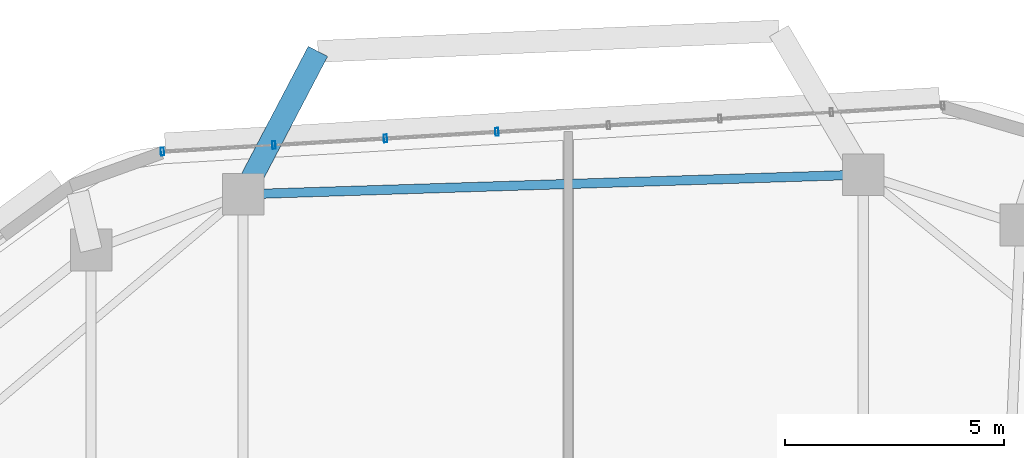
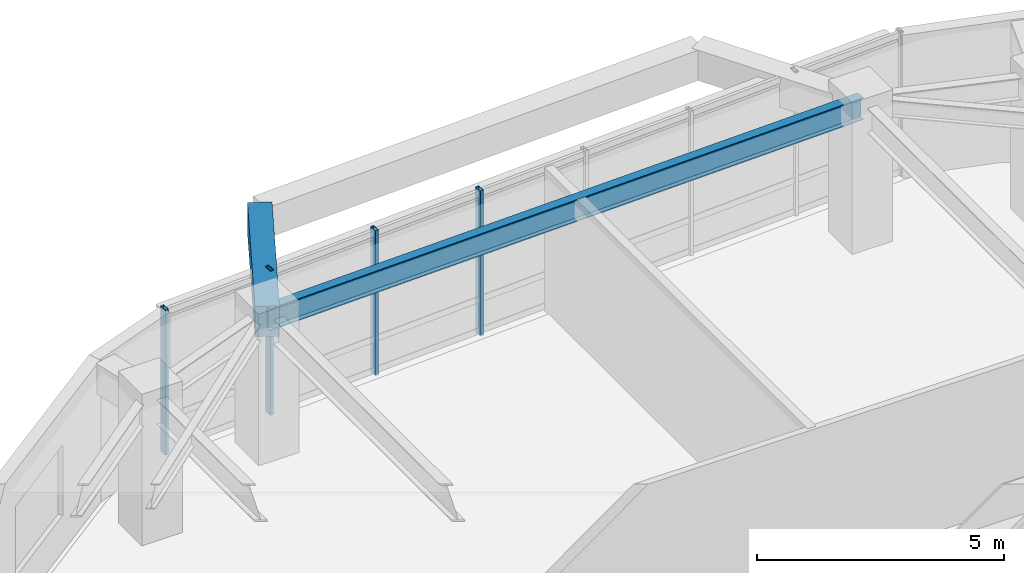
# One storey, part 2 of 15: 4 members, 2 beams, 1 element without a shape of its own.
"""IFC4 building model written with IfcOpenShell, lengths in metres."""

from ifc_helpers import new_model, si_unit, direction, frame, origin, origin_2d, place, context, subcontext, project, spatial, rectangle, hollow_rectangle, i_section, extrude, material, material_profile, profile_set, type_object, element, aggregate, save


model = new_model("IFC4")

# Units and contexts
model_context = context("Model", 3, precision=1e-05, world=origin(), true_north=direction((0.0, 1.0)))
body_context = subcontext(model_context, "Body", "Model", "MODEL_VIEW")
ifc_project = project(units=[si_unit("LENGTHUNIT", "METRE"), si_unit("AREAUNIT", "SQUARE_METRE"), si_unit("VOLUMEUNIT", "CUBIC_METRE"), si_unit("PLANEANGLEUNIT", "RADIAN"), si_unit("MASSUNIT", "GRAM", prefix="KILO")], contexts=[model_context])

# Site, building, storey
site_placement = place(None, origin())
site = spatial("IfcSite", under=ifc_project, at=site_placement, CompositionType="ELEMENT")
building_placement = place(site_placement, origin())
building = spatial("IfcBuilding", under=site, at=building_placement, Name="Zulverin Broadcast Headquarters", CompositionType="ELEMENT")
storey_placement = place(building_placement, frame((0.0, 0.0, 193.39990234375)))
storey = spatial("IfcBuildingStorey", under=building, at=storey_placement, Name="L49", CompositionType="ELEMENT", Elevation=193.39990234375)

# Beams
ifc_material_1 = material(Name="Concrete C40/50", Category="concrete")
ifc_material_profile_1 = material_profile(ifc_material_1, rectangle(XDim=0.5, YDim=0.75, at=origin_2d()), Name="Concrete C40/50", Category="concrete")
ifc_profile_set_1 = profile_set([ifc_material_profile_1], Name="Concrete C40/50")
beam_type_1 = type_object("IfcBeamType", Name="BM-RC-500x750", PredefinedType="BEAM", material=ifc_profile_set_1)
beam_1_placement = place(storey_placement, frame((30.882080078125, 46.27490234375, 3.1650390625), z_axis=(0.46403674043, 0.885815953532, 0.0), x_axis=(-0.885815953532, 0.46403674043, 0.0)))
element("IfcBeam", 1, at=beam_1_placement, inside=storey, type_object=beam_type_1, Name="L50 Balcony Column-Framed Cantilever BAL_N-2", PredefinedType="BEAM", context=body_context, shape_type="SweptSolid", body=[
    extrude(rectangle(XDim=0.5, YDim=0.75, at=origin_2d()), origin(), (0.0, 0.0, 1.0), 3.68017578125),
])
ifc_material_2 = material(Name="Structural steel S355JR", Category="steel")
ifc_material_profile_2 = material_profile(ifc_material_2, i_section(OverallWidth=0.2119140625, OverallDepth=0.54443359375, WebThickness=0.0126953125, FlangeThickness=0.021240234375, at=origin_2d()), Name="Structural steel S355JR", Category="steel")
ifc_profile_set_2 = profile_set([ifc_material_profile_2], Name="Structural steel S355JR")
beam_type_2 = type_object("IfcBeamType", Name="BM-UB-533", PredefinedType="SPANDREL", material=ifc_profile_set_2)
beam_2_placement = place(storey_placement, frame((45.027587890625, 46.7236328125, 3.267822265625), z_axis=(-0.999497221833, -0.031706522156, 0.0), x_axis=(0.031706522156, -0.999497221833, 0.0)))
element("IfcBeam", 2, at=beam_2_placement, inside=storey, type_object=beam_type_2, Name="L49 Perimeter Spandrel Beam SP-09", PredefinedType="SPANDREL", context=body_context, shape_type="SweptSolid", body=[
    extrude(i_section(OverallWidth=0.2119140625, OverallDepth=0.54443359375, WebThickness=0.0126953125, FlangeThickness=0.021240234375, at=origin_2d()), origin(), (0.0, 0.0, 1.0), 14.152587890625),
])

# Curtain wall, members
ifc_material_3 = material(Name="Waist wind-pressure unitised curtain wall", Category="aluminium")
curtain_wall_type = type_object("IfcCurtainWallType", Name="CW-TWR-WST", PredefinedType="USERDEFINED", material=ifc_material_3)
curtain_wall_placement = place(storey_placement, origin())
curtain_wall = element("IfcCurtainWall", 3, at=curtain_wall_placement, inside=storey, type_object=curtain_wall_type, Name="L49 Unitised Curtain Wall CW-L49-E5", ObjectType="UNITISED CURTAIN WALL", PredefinedType="USERDEFINED")
ifc_material_4 = material(Name="Anodized pale-metal aluminium alloy 6063-T6", Category="aluminium")
ifc_material_profile_3 = material_profile(ifc_material_4, hollow_rectangle(XDim=0.074951171875, YDim=0.179931640625, WallThickness=0.0048828125, at=origin_2d()), Name="Anodized pale-metal aluminium alloy 6063-T6", Category="aluminium")
ifc_profile_set_3 = profile_set([ifc_material_profile_3], Name="Anodized pale-metal aluminium alloy 6063-T6")
member_type = type_object("IfcMemberType", Name="CW-MUL-180", PredefinedType="MULLION", material=ifc_profile_set_3)
member_1_placement = place(storey_placement, frame((36.67236328125, 47.698486328125, -0.02978515625), z_axis=(0.0, 0.0, 1.0), x_axis=(-0.998274332859, -0.058722707319, 0.0)))
member_1 = element("IfcMember", 4, at=member_1_placement, type_object=member_type, Name="CW-L49-E5 Mullion 04", PredefinedType="MULLION", context=body_context, shape_type="SweptSolid", body=[
    extrude(hollow_rectangle(XDim=0.074951171875, YDim=0.179931640625, WallThickness=0.0048828125, at=origin_2d()), origin(), (0.0, 0.0, 1.0), 3.599853515625),
])
member_2_placement = place(storey_placement, frame((34.129150390625, 47.548828125, -0.02978515625), z_axis=(0.0, 0.0, 1.0), x_axis=(-0.998274332859, -0.058722707319, 0.0)))
member_2 = element("IfcMember", 5, at=member_2_placement, type_object=member_type, Name="CW-L49-E5 Mullion 05", PredefinedType="MULLION", context=body_context, shape_type="SweptSolid", body=[
    extrude(hollow_rectangle(XDim=0.074951171875, YDim=0.179931640625, WallThickness=0.0048828125, at=origin_2d()), origin(), (0.0, 0.0, 1.0), 3.599853515625),
])
member_3_placement = place(storey_placement, frame((31.5859375, 47.399169921875, -0.02978515625), z_axis=(0.0, 0.0, 1.0), x_axis=(-0.998274332859, -0.058722707319, 0.0)))
member_3 = element("IfcMember", 6, at=member_3_placement, type_object=member_type, Name="CW-L49-E5 Mullion 06", PredefinedType="MULLION", context=body_context, shape_type="SweptSolid", body=[
    extrude(hollow_rectangle(XDim=0.074951171875, YDim=0.179931640625, WallThickness=0.0048828125, at=origin_2d()), origin(), (0.0, 0.0, 1.0), 3.599853515625),
])
member_4_placement = place(storey_placement, frame((29.042724609375, 47.24951171875, -0.02978515625), z_axis=(0.0, 0.0, 1.0), x_axis=(-0.998274332859, -0.058722707319, 0.0)))
member_4 = element("IfcMember", 7, at=member_4_placement, type_object=member_type, Name="CW-L49-E5 Mullion 07", PredefinedType="MULLION", context=body_context, shape_type="SweptSolid", body=[
    extrude(hollow_rectangle(XDim=0.074951171875, YDim=0.179931640625, WallThickness=0.0048828125, at=origin_2d()), origin(), (0.0, 0.0, 1.0), 3.599853515625),
])
aggregate(curtain_wall, [member_1, member_2, member_3, member_4])

save(model, "model.ifc")
